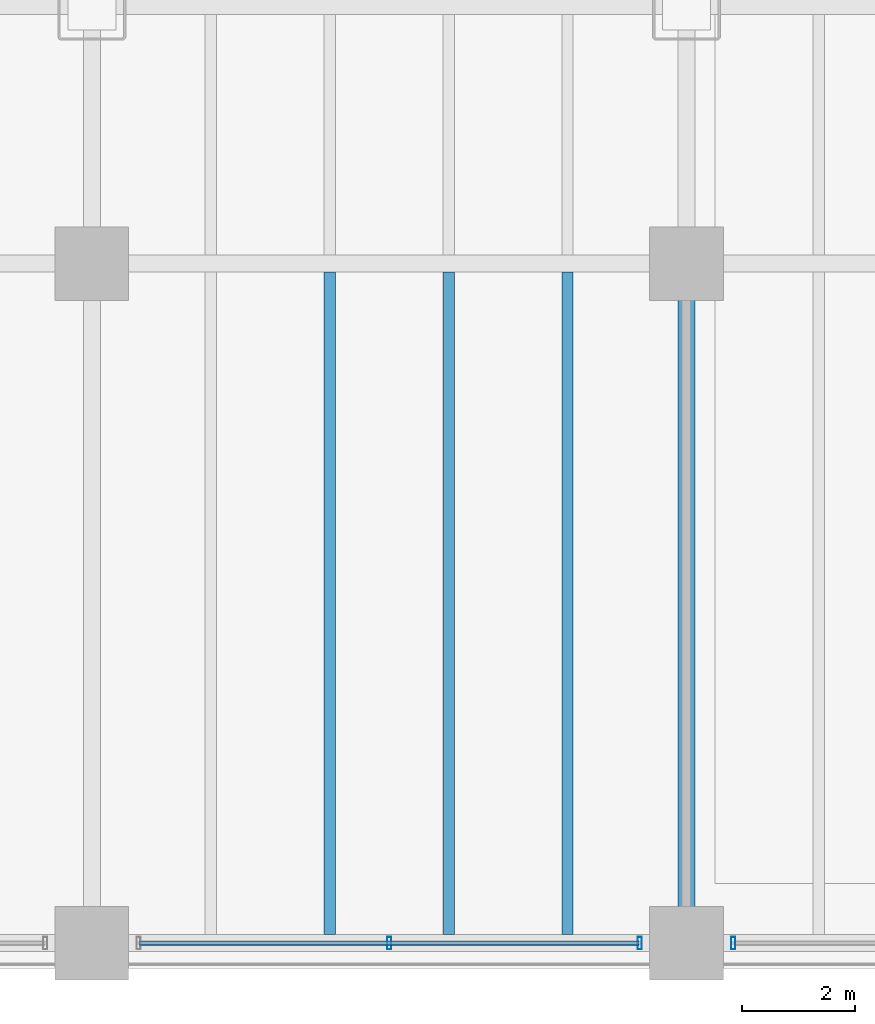
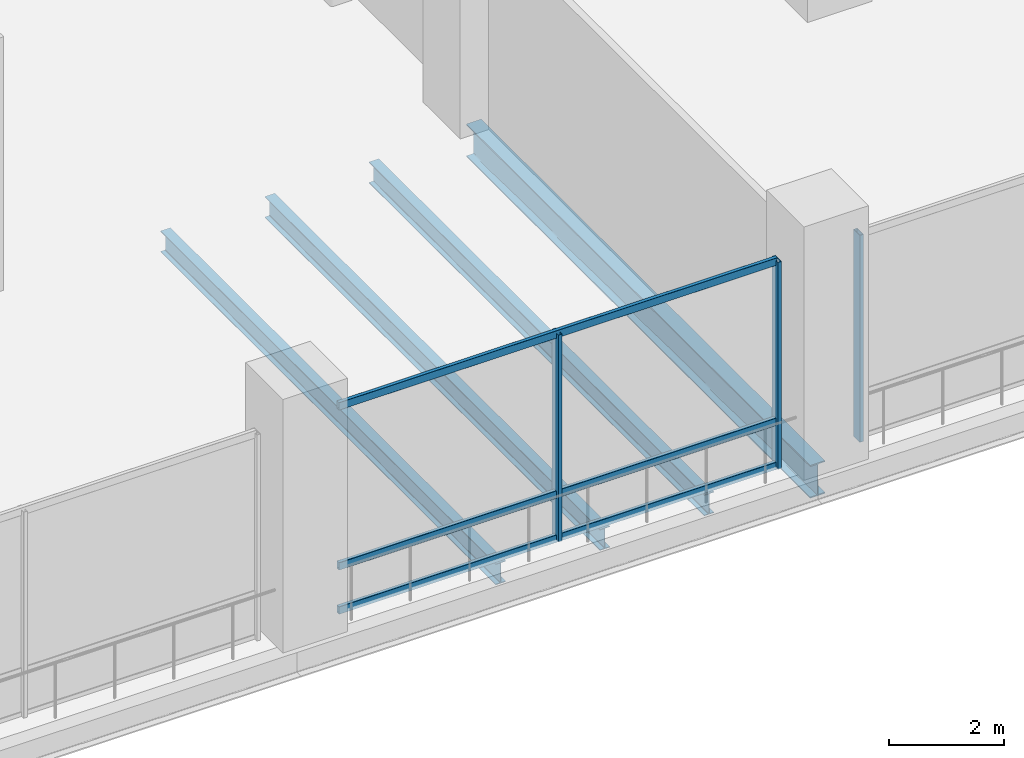
# One storey, part 6 of 31: 6 members, 4 beams, 2 elements without a shape of their own.
"""IFC4 building model written with IfcOpenShell, lengths in metres."""

from ifc_helpers import new_model, si_unit, direction, frame, origin, origin_2d, place, context, subcontext, project, spatial, hollow_rectangle, i_section, extrude, material, material_profile, profile_set, type_object, element, aggregate, save


model = new_model("IFC4")

# Units and contexts
model_context = context("Model", 3, precision=1e-05, world=origin(), true_north=direction((0.0, 1.0)))
body_context = subcontext(model_context, "Body", "Model", "MODEL_VIEW")
ifc_project = project(units=[si_unit("LENGTHUNIT", "METRE"), si_unit("AREAUNIT", "SQUARE_METRE"), si_unit("VOLUMEUNIT", "CUBIC_METRE"), si_unit("PLANEANGLEUNIT", "RADIAN"), si_unit("MASSUNIT", "GRAM", prefix="KILO")], contexts=[model_context])

# Site, building, storey
site_placement = place(None, origin())
site = spatial("IfcSite", under=ifc_project, at=site_placement, CompositionType="ELEMENT")
building_placement = place(site_placement, origin())
building = spatial("IfcBuilding", under=site, at=building_placement, Name="Noeulbin Bourse Tower", CompositionType="ELEMENT")
storey_placement = place(building_placement, frame((0.0, 0.0, 11.199951171875)))
storey = spatial("IfcBuildingStorey", under=building, at=storey_placement, Name="L03", CompositionType="ELEMENT", Elevation=11.199951171875)

# Beams
ifc_material_1 = material(Name="Steel S355", Category="steel")
ifc_material_profile_1 = material_profile(ifc_material_1, i_section(OverallWidth=0.300048828125, OverallDepth=0.699951171875, WebThickness=0.012939453125, FlangeThickness=0.02392578125, FilletRadius=0.02392578125, at=origin_2d()), Name="H-700x300x13x24", Category="LoadBearing")
ifc_profile_set_1 = profile_set([ifc_material_profile_1], Name="Steel S355")
beam_type_1 = type_object("IfcBeamType", Name="BM-GRD-700", PredefinedType="USERDEFINED", material=ifc_profile_set_1)
beam_placement = place(storey_placement, frame((24.0, 3.449951171875, -0.599853515625), z_axis=(0.0, 1.0, 0.0), x_axis=(-1.0, 0.0, 0.0)))
element("IfcBeam", 1, at=beam_placement, inside=storey, type_object=beam_type_1, Name="Podium Primary Girder NS L03-075", ObjectType="GIRDER", PredefinedType="USERDEFINED", context=body_context, shape_type="SweptSolid", body=[
    extrude(i_section(OverallWidth=0.300048828125, OverallDepth=0.699951171875, WebThickness=0.012939453125, FlangeThickness=0.02392578125, FilletRadius=0.02392578125, at=origin_2d()), origin(), (0.0, 0.0, 1.0), 12.0),
])
ifc_material_profile_2 = material_profile(ifc_material_1, i_section(OverallWidth=0.199951171875, OverallDepth=0.449951171875, WebThickness=0.009033203125, FlangeThickness=0.013916015625, FilletRadius=0.01806640625, at=origin_2d()), Name="H-450x200x9x14", Category="LoadBearing")
ifc_profile_set_2 = profile_set([ifc_material_profile_2], Name="Steel S355")
beam_type_2 = type_object("IfcBeamType", Name="BM-SEC-450", PredefinedType="BEAM", material=ifc_profile_set_2)
for number, where, z_axis, x_axis, name in (
    (2, (17.699951171875, 3.60009765625, -0.474853515625), (0.0, 1.0, 0.0), (-1.0, 0.0, 0.0), "Podium Secondary Beam L03-028"),
    (3, (19.800048828125, 3.60009765625, -0.474853515625), (0.0, 1.0, 0.0), (-1.0, 0.0, 0.0), "Podium Secondary Beam L03-033"),
    (4, (21.89990234375, 3.60009765625, -0.474853515625), (0.0, 1.0, 0.0), (-1.0, 0.0, 0.0), "Podium Secondary Beam L03-038"),
):
    element("IfcBeam", number, at=place(storey_placement, frame(where, z_axis=z_axis, x_axis=x_axis)), inside=storey, type_object=beam_type_2, Name=name, PredefinedType="BEAM", context=body_context, shape_type="SweptSolid", body=[
        extrude(i_section(OverallWidth=0.199951171875, OverallDepth=0.449951171875, WebThickness=0.009033203125, FlangeThickness=0.013916015625, FilletRadius=0.01806640625, at=origin_2d()), origin(), (0.0, 0.0, 1.0), 11.699951171875),
    ])

# Curtain wall, members
ifc_material_2 = material(Name="Laminated Clear Low-E Glass", Category="glass")
curtain_wall_type = type_object("IfcCurtainWallType", Name="CW-SYS-1", PredefinedType="NOTDEFINED", material=ifc_material_2)
curtain_wall_1_placement = place(storey_placement, origin())
curtain_wall_1 = element("IfcCurtainWall", 5, at=curtain_wall_1_placement, inside=storey, type_object=curtain_wall_type, Name="Unitised Curtain Wall CW-L03-POD-S-S2", PredefinedType="NOTDEFINED")
ifc_material_3 = material(Name="Anodised Aluminium 6063-T6", Category="aluminium")
ifc_material_profile_3 = material_profile(ifc_material_3, hollow_rectangle(XDim=0.074951171875, YDim=0.219970703125, WallThickness=0.0048828125, InnerFilletRadius=0.00244140625, OuterFilletRadius=0.0048828125, at=origin_2d()), Name="ALU-MULL-75x220x5", Category="LoadBearing")
ifc_profile_set_3 = profile_set([ifc_material_profile_3], Name="Anodised Aluminium 6063-T6")
member_type_1 = type_object("IfcMemberType", Name="CW-SYS-1-MUL", PredefinedType="MULLION", material=ifc_profile_set_3)
member_1_placement = place(storey_placement, frame((18.75, 3.449951171875, -0.02001953125), z_axis=(0.0, 0.0, 1.0), x_axis=(1.0, 0.0, 0.0)))
member_1 = element("IfcMember", 6, at=member_1_placement, type_object=member_type_1, Name="Curtain Wall Mullion CW-L03-POD-S-S2-M01", PredefinedType="MULLION", context=body_context, shape_type="SweptSolid", body=[
    extrude(hollow_rectangle(XDim=0.074951171875, YDim=0.219970703125, WallThickness=0.0048828125, InnerFilletRadius=0.00244140625, OuterFilletRadius=0.0048828125, at=origin_2d()), origin(), (0.0, 0.0, 1.0), 4.41015625),
])
member_2_placement = place(storey_placement, frame((23.175048828125, 3.449951171875, -0.02001953125), z_axis=(0.0, 0.0, 1.0), x_axis=(1.0, 0.0, 0.0)))
member_2 = element("IfcMember", 7, at=member_2_placement, type_object=member_type_1, Name="Curtain Wall Mullion CW-L03-POD-S-S2-M02", PredefinedType="MULLION", context=body_context, shape_type="SweptSolid", body=[
    extrude(hollow_rectangle(XDim=0.074951171875, YDim=0.219970703125, WallThickness=0.0048828125, InnerFilletRadius=0.00244140625, OuterFilletRadius=0.0048828125, at=origin_2d()), origin(), (0.0, 0.0, 1.0), 4.41015625),
])

# Curtain wall, member
curtain_wall_2_placement = place(storey_placement, origin())
curtain_wall_2 = element("IfcCurtainWall", 8, at=curtain_wall_2_placement, inside=storey, type_object=curtain_wall_type, Name="Unitised Curtain Wall CW-L03-POD-S-S3", PredefinedType="NOTDEFINED")
member_3_placement = place(storey_placement, frame((24.824951171875, 3.449951171875, -0.02001953125), z_axis=(0.0, 0.0, 1.0), x_axis=(1.0, 0.0, 0.0)))
member_3 = element("IfcMember", 9, at=member_3_placement, type_object=member_type_1, Name="Curtain Wall Mullion CW-L03-POD-S-S3-M00", PredefinedType="MULLION", context=body_context, shape_type="SweptSolid", body=[
    extrude(hollow_rectangle(XDim=0.074951171875, YDim=0.219970703125, WallThickness=0.0048828125, InnerFilletRadius=0.00244140625, OuterFilletRadius=0.0048828125, at=origin_2d()), origin(), (0.0, 0.0, 1.0), 4.41015625),
])
aggregate(curtain_wall_2, [member_3])

# Member
ifc_material_profile_4 = material_profile(ifc_material_3, hollow_rectangle(XDim=0.074951171875, YDim=0.159912109375, WallThickness=0.0048828125, InnerFilletRadius=0.00244140625, OuterFilletRadius=0.0048828125, at=origin_2d()), Name="ALU-TRAN-75x160x5", Category="LoadBearing")
ifc_profile_set_4 = profile_set([ifc_material_profile_4], Name="Anodised Aluminium 6063-T6")
member_type_2 = type_object("IfcMemberType", Name="CW-SYS-1-TRN", PredefinedType="USERDEFINED", material=ifc_profile_set_4)
member_4_placement = place(storey_placement, frame((14.3349609375, 3.449951171875, 0.010009765625), z_axis=(1.0, 0.0, 0.0), x_axis=(0.0, 1.0, 0.0)))
member_4 = element("IfcMember", 10, at=member_4_placement, type_object=member_type_2, Name="Curtain Wall Transom CW-L03-POD-S-S2-T00", ObjectType="TRANSOM", PredefinedType="USERDEFINED", context=body_context, shape_type="SweptSolid", body=[
    extrude(hollow_rectangle(XDim=0.074951171875, YDim=0.159912109375, WallThickness=0.0048828125, InnerFilletRadius=0.00244140625, OuterFilletRadius=0.0048828125, at=origin_2d()), origin(), (0.0, 0.0, 1.0), 8.830078125),
])

member_5_placement = place(storey_placement, frame((14.3349609375, 3.449951171875, 0.949951171875), z_axis=(1.0, 0.0, 0.0), x_axis=(0.0, 1.0, 0.0)))
member_5 = element("IfcMember", 11, at=member_5_placement, type_object=member_type_2, Name="Curtain Wall Transom CW-L03-POD-S-S2-T01", ObjectType="TRANSOM", PredefinedType="USERDEFINED", context=body_context, shape_type="SweptSolid", body=[
    extrude(hollow_rectangle(XDim=0.074951171875, YDim=0.159912109375, WallThickness=0.0048828125, InnerFilletRadius=0.00244140625, OuterFilletRadius=0.0048828125, at=origin_2d()), origin(), (0.0, 0.0, 1.0), 8.830078125),
])

member_6_placement = place(storey_placement, frame((14.3349609375, 3.449951171875, 4.360107421875), z_axis=(1.0, 0.0, 0.0), x_axis=(0.0, 1.0, 0.0)))
member_6 = element("IfcMember", 12, at=member_6_placement, type_object=member_type_2, Name="Curtain Wall Transom CW-L03-POD-S-S2-T02", ObjectType="TRANSOM", PredefinedType="USERDEFINED", context=body_context, shape_type="SweptSolid", body=[
    extrude(hollow_rectangle(XDim=0.074951171875, YDim=0.159912109375, WallThickness=0.0048828125, InnerFilletRadius=0.00244140625, OuterFilletRadius=0.0048828125, at=origin_2d()), origin(), (0.0, 0.0, 1.0), 8.830078125),
])

aggregate(curtain_wall_1, [member_1, member_2, member_4, member_5, member_6])

save(model, "model.ifc")
